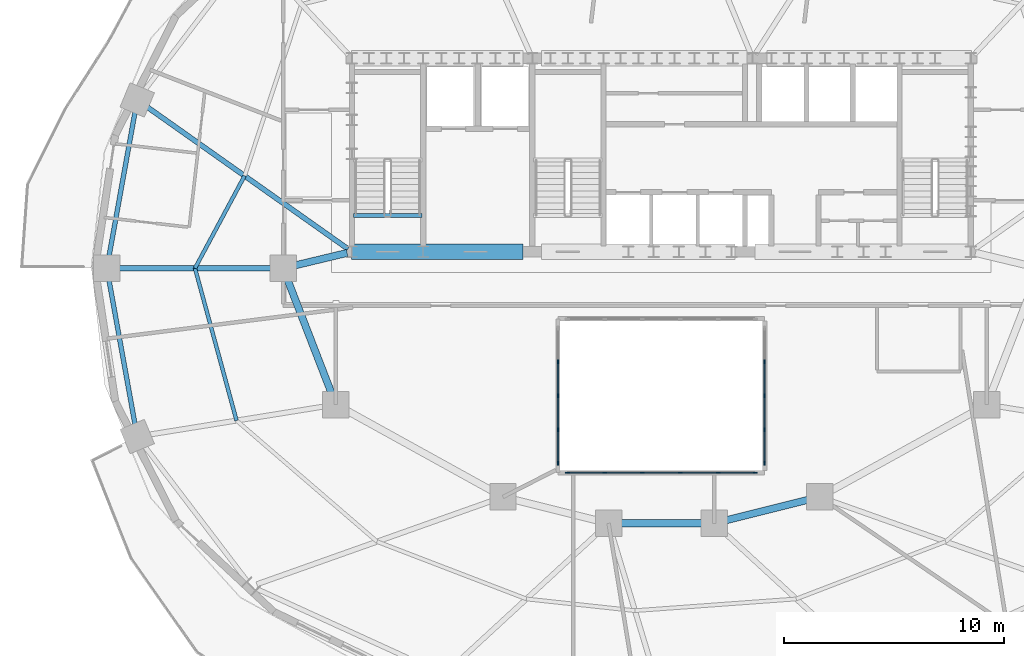
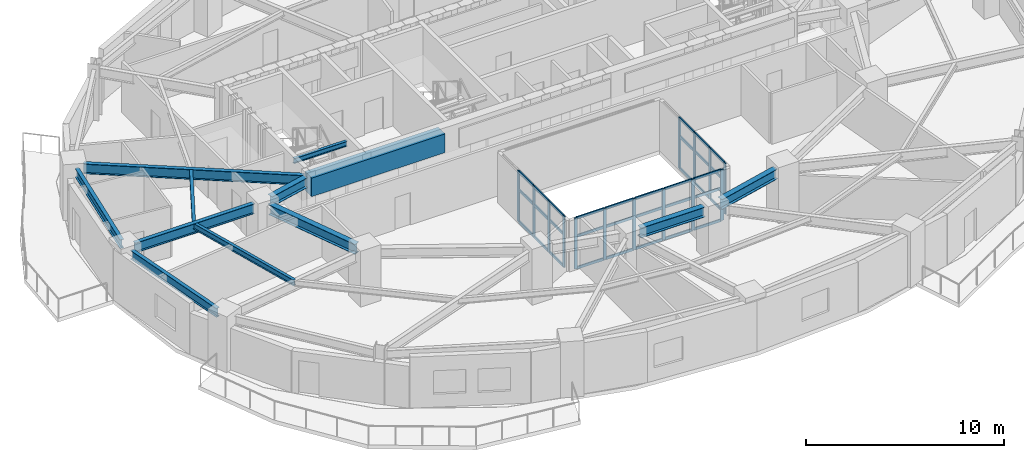
# One storey, part 2 of 12: 47 members, 12 beams, 3 elements without a shape of their own.
"""IFC4 building model written with IfcOpenShell, lengths in metres."""

from ifc_helpers import new_model, si_unit, direction, frame, origin, origin_2d, place, context, subcontext, project, spatial, rectangle, i_section, extrude, material, material_profile, profile_set, type_object, element, aggregate, save


model = new_model("IFC4")

# Units and contexts
model_context = context("Model", 3, precision=1e-05, world=origin(), true_north=direction((0.0, 1.0)))
body_context = subcontext(model_context, "Body", "Model", "MODEL_VIEW")
ifc_project = project(units=[si_unit("LENGTHUNIT", "METRE"), si_unit("AREAUNIT", "SQUARE_METRE"), si_unit("VOLUMEUNIT", "CUBIC_METRE"), si_unit("PLANEANGLEUNIT", "RADIAN"), si_unit("MASSUNIT", "GRAM", prefix="KILO")], contexts=[model_context])

# Site, building, storey
site_placement = place(None, origin())
site = spatial("IfcSite", under=ifc_project, at=site_placement, CompositionType="ELEMENT")
building_placement = place(site_placement, origin())
building = spatial("IfcBuilding", under=site, at=building_placement, Name="Haldorwick Loom Tower", CompositionType="ELEMENT")
storey_placement = place(building_placement, frame((0.0, 0.0, 146.0)))
storey = spatial("IfcBuildingStorey", under=building, at=storey_placement, Name="L39", CompositionType="ELEMENT", Elevation=146.0)

# Curtain wall, members
ifc_material_1 = material(Name="Thermally Broken Anodized Aluminium Curtain Wall Framing", Category="aluminium")
curtain_wall_type = type_object("IfcCurtainWallType", Name="ARC-CW-03", PredefinedType="NOTDEFINED", material=ifc_material_1)
curtain_wall_1_placement = place(storey_placement, origin())
curtain_wall_1 = element("IfcCurtainWall", 1, at=curtain_wall_1_placement, inside=storey, type_object=curtain_wall_type, Name="L39 Atrium Glazed Screen S", PredefinedType="NOTDEFINED")
ifc_material_profile_1 = material_profile(ifc_material_1, rectangle(XDim=0.06591796875, YDim=0.18505859375, at=origin_2d()), Name="ALU_MUL_66X185", Category="aluminium")
ifc_profile_set_1 = profile_set([ifc_material_profile_1], Name="Thermally Broken Anodized Aluminium Curtain Wall Framing")
member_type_1 = type_object("IfcMemberType", Name="ARC-CWM-03", PredefinedType="MULLION", material=ifc_profile_set_1)
member_1_placement = place(storey_placement, frame((40.26708984375, 16.699951171875, 0.0), z_axis=(0.0, 0.0, 1.0), x_axis=(0.0, -1.0, 0.0)))
member_1 = element("IfcMember", 2, at=member_1_placement, type_object=member_type_1, Name="CW-03 mullion 1", PredefinedType="MULLION", context=body_context, shape_type="SweptSolid", body=[
    extrude(rectangle(XDim=0.06591796875, YDim=0.18505859375, at=origin_2d()), origin(), (0.0, 0.0, 1.0), 3.14990234375),
])
member_2_placement = place(storey_placement, frame((38.580078125, 16.699951171875, 0.0), z_axis=(0.0, 0.0, 1.0), x_axis=(0.0, -1.0, 0.0)))
member_2 = element("IfcMember", 3, at=member_2_placement, type_object=member_type_1, Name="CW-03 mullion 2", PredefinedType="MULLION", context=body_context, shape_type="SweptSolid", body=[
    extrude(rectangle(XDim=0.06591796875, YDim=0.18505859375, at=origin_2d()), origin(), (0.0, 0.0, 1.0), 3.14990234375),
])
member_3_placement = place(storey_placement, frame((36.860107421875, 16.699951171875, 0.0), z_axis=(0.0, 0.0, 1.0), x_axis=(0.0, -1.0, 0.0)))
member_3 = element("IfcMember", 4, at=member_3_placement, type_object=member_type_1, Name="CW-03 mullion 3", PredefinedType="MULLION", context=body_context, shape_type="SweptSolid", body=[
    extrude(rectangle(XDim=0.06591796875, YDim=0.18505859375, at=origin_2d()), origin(), (0.0, 0.0, 1.0), 3.14990234375),
])
member_4_placement = place(storey_placement, frame((35.139892578125, 16.699951171875, 0.0), z_axis=(0.0, 0.0, 1.0), x_axis=(0.0, -1.0, 0.0)))
member_4 = element("IfcMember", 5, at=member_4_placement, type_object=member_type_1, Name="CW-03 mullion 4", PredefinedType="MULLION", context=body_context, shape_type="SweptSolid", body=[
    extrude(rectangle(XDim=0.06591796875, YDim=0.18505859375, at=origin_2d()), origin(), (0.0, 0.0, 1.0), 3.14990234375),
])
member_5_placement = place(storey_placement, frame((33.419921875, 16.699951171875, 0.0), z_axis=(0.0, 0.0, 1.0), x_axis=(0.0, -1.0, 0.0)))
member_5 = element("IfcMember", 6, at=member_5_placement, type_object=member_type_1, Name="CW-03 mullion 5", PredefinedType="MULLION", context=body_context, shape_type="SweptSolid", body=[
    extrude(rectangle(XDim=0.06591796875, YDim=0.18505859375, at=origin_2d()), origin(), (0.0, 0.0, 1.0), 3.14990234375),
])
member_6_placement = place(storey_placement, frame((31.73291015625, 16.699951171875, 0.0), z_axis=(0.0, 0.0, 1.0), x_axis=(0.0, -1.0, 0.0)))
member_6 = element("IfcMember", 7, at=member_6_placement, type_object=member_type_1, Name="CW-03 mullion 6", PredefinedType="MULLION", context=body_context, shape_type="SweptSolid", body=[
    extrude(rectangle(XDim=0.06591796875, YDim=0.18505859375, at=origin_2d()), origin(), (0.0, 0.0, 1.0), 3.14990234375),
])

curtain_wall_2_placement = place(storey_placement, origin())
curtain_wall_2 = element("IfcCurtainWall", 8, at=curtain_wall_2_placement, inside=storey, type_object=curtain_wall_type, Name="L39 Atrium Glazed Screen W", PredefinedType="NOTDEFINED")
member_7_placement = place(storey_placement, frame((31.300048828125, 17.133056640625, 0.0), z_axis=(0.0, 0.0, 1.0), x_axis=(-1.0, 0.0, 0.0)))
member_7 = element("IfcMember", 9, at=member_7_placement, type_object=member_type_1, Name="CW-03 mullion 1", PredefinedType="MULLION", context=body_context, shape_type="SweptSolid", body=[
    extrude(rectangle(XDim=0.06591796875, YDim=0.18505859375, at=origin_2d()), origin(), (0.0, 0.0, 1.0), 3.14990234375),
])
member_8_placement = place(storey_placement, frame((31.300048828125, 18.64990234375, 0.0), z_axis=(0.0, 0.0, 1.0), x_axis=(-1.0, 0.0, 0.0)))
member_8 = element("IfcMember", 10, at=member_8_placement, type_object=member_type_1, Name="CW-03 mullion 2", PredefinedType="MULLION", context=body_context, shape_type="SweptSolid", body=[
    extrude(rectangle(XDim=0.06591796875, YDim=0.18505859375, at=origin_2d()), origin(), (0.0, 0.0, 1.0), 3.14990234375),
])
member_9_placement = place(storey_placement, frame((31.300048828125, 20.199951171875, 0.0), z_axis=(0.0, 0.0, 1.0), x_axis=(-1.0, 0.0, 0.0)))
member_9 = element("IfcMember", 11, at=member_9_placement, type_object=member_type_1, Name="CW-03 mullion 3", PredefinedType="MULLION", context=body_context, shape_type="SweptSolid", body=[
    extrude(rectangle(XDim=0.06591796875, YDim=0.18505859375, at=origin_2d()), origin(), (0.0, 0.0, 1.0), 3.14990234375),
])
member_10_placement = place(storey_placement, frame((31.300048828125, 21.75, 0.0), z_axis=(0.0, 0.0, 1.0), x_axis=(-1.0, 0.0, 0.0)))
member_10 = element("IfcMember", 12, at=member_10_placement, type_object=member_type_1, Name="CW-03 mullion 4", PredefinedType="MULLION", context=body_context, shape_type="SweptSolid", body=[
    extrude(rectangle(XDim=0.06591796875, YDim=0.18505859375, at=origin_2d()), origin(), (0.0, 0.0, 1.0), 3.14990234375),
])

curtain_wall_3_placement = place(storey_placement, origin())
curtain_wall_3 = element("IfcCurtainWall", 13, at=curtain_wall_3_placement, inside=storey, type_object=curtain_wall_type, Name="L39 Atrium Glazed Screen E", PredefinedType="NOTDEFINED")
member_11_placement = place(storey_placement, frame((40.699951171875, 21.75, 0.0), z_axis=(0.0, 0.0, 1.0), x_axis=(1.0, 0.0, 0.0)))
member_11 = element("IfcMember", 14, at=member_11_placement, type_object=member_type_1, Name="CW-03 mullion 2", PredefinedType="MULLION", context=body_context, shape_type="SweptSolid", body=[
    extrude(rectangle(XDim=0.06591796875, YDim=0.18505859375, at=origin_2d()), origin(), (0.0, 0.0, 1.0), 3.14990234375),
])
member_12_placement = place(storey_placement, frame((40.699951171875, 20.199951171875, 0.0), z_axis=(0.0, 0.0, 1.0), x_axis=(1.0, 0.0, 0.0)))
member_12 = element("IfcMember", 15, at=member_12_placement, type_object=member_type_1, Name="CW-03 mullion 3", PredefinedType="MULLION", context=body_context, shape_type="SweptSolid", body=[
    extrude(rectangle(XDim=0.06591796875, YDim=0.18505859375, at=origin_2d()), origin(), (0.0, 0.0, 1.0), 3.14990234375),
])
member_13_placement = place(storey_placement, frame((40.699951171875, 18.64990234375, 0.0), z_axis=(0.0, 0.0, 1.0), x_axis=(1.0, 0.0, 0.0)))
member_13 = element("IfcMember", 16, at=member_13_placement, type_object=member_type_1, Name="CW-03 mullion 4", PredefinedType="MULLION", context=body_context, shape_type="SweptSolid", body=[
    extrude(rectangle(XDim=0.06591796875, YDim=0.18505859375, at=origin_2d()), origin(), (0.0, 0.0, 1.0), 3.14990234375),
])
member_14_placement = place(storey_placement, frame((40.699951171875, 17.133056640625, 0.0), z_axis=(0.0, 0.0, 1.0), x_axis=(1.0, 0.0, 0.0)))
member_14 = element("IfcMember", 17, at=member_14_placement, type_object=member_type_1, Name="CW-03 mullion 5", PredefinedType="MULLION", context=body_context, shape_type="SweptSolid", body=[
    extrude(rectangle(XDim=0.06591796875, YDim=0.18505859375, at=origin_2d()), origin(), (0.0, 0.0, 1.0), 3.14990234375),
])

# Member
ifc_material_profile_2 = material_profile(ifc_material_1, rectangle(XDim=0.06591796875, YDim=0.1650390625, at=origin_2d()), Name="ALU_TRN_66X165", Category="aluminium")
ifc_profile_set_2 = profile_set([ifc_material_profile_2], Name="Thermally Broken Anodized Aluminium Curtain Wall Framing")
member_type_2 = type_object("IfcMemberType", Name="ARC-CWT-03", PredefinedType="USERDEFINED", material=ifc_profile_set_2)
member_15_placement = place(storey_placement, frame((40.23388671875, 16.699951171875, 0.032958984375), z_axis=(-1.0, 0.0, 0.0), x_axis=(0.0, -1.0, 0.0)))
member_15 = element("IfcMember", 18, at=member_15_placement, type_object=member_type_2, Name="CW-03 transom 1.1", ObjectType="TRANSOM", PredefinedType="USERDEFINED", context=body_context, shape_type="SweptSolid", body=[
    extrude(rectangle(XDim=0.06591796875, YDim=0.1650390625, at=origin_2d()), origin(), (0.0, 0.0, 1.0), 1.620849609375),
])

member_16_placement = place(storey_placement, frame((40.23388671875, 16.699951171875, 2.0), z_axis=(-1.0, 0.0, 0.0), x_axis=(0.0, -1.0, 0.0)))
member_16 = element("IfcMember", 19, at=member_16_placement, type_object=member_type_2, Name="CW-03 transom 1.2", ObjectType="TRANSOM", PredefinedType="USERDEFINED", context=body_context, shape_type="SweptSolid", body=[
    extrude(rectangle(XDim=0.06591796875, YDim=0.1650390625, at=origin_2d()), origin(), (0.0, 0.0, 1.0), 1.620849609375),
])

member_17_placement = place(storey_placement, frame((40.23388671875, 16.699951171875, 3.116943359375), z_axis=(-1.0, 0.0, 0.0), x_axis=(0.0, -1.0, 0.0)))
member_17 = element("IfcMember", 20, at=member_17_placement, type_object=member_type_2, Name="CW-03 transom 1.3", ObjectType="TRANSOM", PredefinedType="USERDEFINED", context=body_context, shape_type="SweptSolid", body=[
    extrude(rectangle(XDim=0.06591796875, YDim=0.1650390625, at=origin_2d()), origin(), (0.0, 0.0, 1.0), 1.620849609375),
])

member_18_placement = place(storey_placement, frame((38.547119140625, 16.699951171875, 0.032958984375), z_axis=(-1.0, 0.0, 0.0), x_axis=(0.0, -1.0, 0.0)))
member_18 = element("IfcMember", 21, at=member_18_placement, type_object=member_type_2, Name="CW-03 transom 2.1", ObjectType="TRANSOM", PredefinedType="USERDEFINED", context=body_context, shape_type="SweptSolid", body=[
    extrude(rectangle(XDim=0.06591796875, YDim=0.1650390625, at=origin_2d()), origin(), (0.0, 0.0, 1.0), 1.654052734375),
])

member_19_placement = place(storey_placement, frame((38.547119140625, 16.699951171875, 2.0), z_axis=(-1.0, 0.0, 0.0), x_axis=(0.0, -1.0, 0.0)))
member_19 = element("IfcMember", 22, at=member_19_placement, type_object=member_type_2, Name="CW-03 transom 2.2", ObjectType="TRANSOM", PredefinedType="USERDEFINED", context=body_context, shape_type="SweptSolid", body=[
    extrude(rectangle(XDim=0.06591796875, YDim=0.1650390625, at=origin_2d()), origin(), (0.0, 0.0, 1.0), 1.654052734375),
])

member_20_placement = place(storey_placement, frame((38.547119140625, 16.699951171875, 3.116943359375), z_axis=(-1.0, 0.0, 0.0), x_axis=(0.0, -1.0, 0.0)))
member_20 = element("IfcMember", 23, at=member_20_placement, type_object=member_type_2, Name="CW-03 transom 2.3", ObjectType="TRANSOM", PredefinedType="USERDEFINED", context=body_context, shape_type="SweptSolid", body=[
    extrude(rectangle(XDim=0.06591796875, YDim=0.1650390625, at=origin_2d()), origin(), (0.0, 0.0, 1.0), 1.654052734375),
])

member_21_placement = place(storey_placement, frame((36.826904296875, 16.699951171875, 0.032958984375), z_axis=(-1.0, 0.0, 0.0), x_axis=(0.0, -1.0, 0.0)))
member_21 = element("IfcMember", 24, at=member_21_placement, type_object=member_type_2, Name="CW-03 transom 3.1", ObjectType="TRANSOM", PredefinedType="USERDEFINED", context=body_context, shape_type="SweptSolid", body=[
    extrude(rectangle(XDim=0.06591796875, YDim=0.1650390625, at=origin_2d()), origin(), (0.0, 0.0, 1.0), 1.65380859375),
])

member_22_placement = place(storey_placement, frame((36.826904296875, 16.699951171875, 2.0), z_axis=(-1.0, 0.0, 0.0), x_axis=(0.0, -1.0, 0.0)))
member_22 = element("IfcMember", 25, at=member_22_placement, type_object=member_type_2, Name="CW-03 transom 3.2", ObjectType="TRANSOM", PredefinedType="USERDEFINED", context=body_context, shape_type="SweptSolid", body=[
    extrude(rectangle(XDim=0.06591796875, YDim=0.1650390625, at=origin_2d()), origin(), (0.0, 0.0, 1.0), 1.65380859375),
])

member_23_placement = place(storey_placement, frame((36.826904296875, 16.699951171875, 3.116943359375), z_axis=(-1.0, 0.0, 0.0), x_axis=(0.0, -1.0, 0.0)))
member_23 = element("IfcMember", 26, at=member_23_placement, type_object=member_type_2, Name="CW-03 transom 3.3", ObjectType="TRANSOM", PredefinedType="USERDEFINED", context=body_context, shape_type="SweptSolid", body=[
    extrude(rectangle(XDim=0.06591796875, YDim=0.1650390625, at=origin_2d()), origin(), (0.0, 0.0, 1.0), 1.65380859375),
])

member_24_placement = place(storey_placement, frame((35.10693359375, 16.699951171875, 0.032958984375), z_axis=(-1.0, 0.0, 0.0), x_axis=(0.0, -1.0, 0.0)))
member_24 = element("IfcMember", 27, at=member_24_placement, type_object=member_type_2, Name="CW-03 transom 4.1", ObjectType="TRANSOM", PredefinedType="USERDEFINED", context=body_context, shape_type="SweptSolid", body=[
    extrude(rectangle(XDim=0.06591796875, YDim=0.1650390625, at=origin_2d()), origin(), (0.0, 0.0, 1.0), 1.654052734375),
])

member_25_placement = place(storey_placement, frame((35.10693359375, 16.699951171875, 2.0), z_axis=(-1.0, 0.0, 0.0), x_axis=(0.0, -1.0, 0.0)))
member_25 = element("IfcMember", 28, at=member_25_placement, type_object=member_type_2, Name="CW-03 transom 4.2", ObjectType="TRANSOM", PredefinedType="USERDEFINED", context=body_context, shape_type="SweptSolid", body=[
    extrude(rectangle(XDim=0.06591796875, YDim=0.1650390625, at=origin_2d()), origin(), (0.0, 0.0, 1.0), 1.654052734375),
])

member_26_placement = place(storey_placement, frame((35.10693359375, 16.699951171875, 3.116943359375), z_axis=(-1.0, 0.0, 0.0), x_axis=(0.0, -1.0, 0.0)))
member_26 = element("IfcMember", 29, at=member_26_placement, type_object=member_type_2, Name="CW-03 transom 4.3", ObjectType="TRANSOM", PredefinedType="USERDEFINED", context=body_context, shape_type="SweptSolid", body=[
    extrude(rectangle(XDim=0.06591796875, YDim=0.1650390625, at=origin_2d()), origin(), (0.0, 0.0, 1.0), 1.654052734375),
])

member_27_placement = place(storey_placement, frame((33.386962890625, 16.699951171875, 0.032958984375), z_axis=(-1.0, 0.0, 0.0), x_axis=(0.0, -1.0, 0.0)))
member_27 = element("IfcMember", 30, at=member_27_placement, type_object=member_type_2, Name="CW-03 transom 5.1", ObjectType="TRANSOM", PredefinedType="USERDEFINED", context=body_context, shape_type="SweptSolid", body=[
    extrude(rectangle(XDim=0.06591796875, YDim=0.1650390625, at=origin_2d()), origin(), (0.0, 0.0, 1.0), 1.620849609375),
])

member_28_placement = place(storey_placement, frame((33.386962890625, 16.699951171875, 2.0), z_axis=(-1.0, 0.0, 0.0), x_axis=(0.0, -1.0, 0.0)))
member_28 = element("IfcMember", 31, at=member_28_placement, type_object=member_type_2, Name="CW-03 transom 5.2", ObjectType="TRANSOM", PredefinedType="USERDEFINED", context=body_context, shape_type="SweptSolid", body=[
    extrude(rectangle(XDim=0.06591796875, YDim=0.1650390625, at=origin_2d()), origin(), (0.0, 0.0, 1.0), 1.620849609375),
])

member_29_placement = place(storey_placement, frame((33.386962890625, 16.699951171875, 3.116943359375), z_axis=(-1.0, 0.0, 0.0), x_axis=(0.0, -1.0, 0.0)))
member_29 = element("IfcMember", 32, at=member_29_placement, type_object=member_type_2, Name="CW-03 transom 5.3", ObjectType="TRANSOM", PredefinedType="USERDEFINED", context=body_context, shape_type="SweptSolid", body=[
    extrude(rectangle(XDim=0.06591796875, YDim=0.1650390625, at=origin_2d()), origin(), (0.0, 0.0, 1.0), 1.620849609375),
])

aggregate(curtain_wall_1, [member_1, member_2, member_3, member_4, member_5, member_6, member_15, member_16, member_17, member_18, member_19, member_20, member_21, member_22, member_23, member_24, member_25, member_26, member_27, member_28, member_29])

member_30_placement = place(storey_placement, frame((31.300048828125, 17.166015625, 0.032958984375), z_axis=(0.0, 1.0, 0.0), x_axis=(-1.0, 0.0, 0.0)))
member_30 = element("IfcMember", 33, at=member_30_placement, type_object=member_type_2, Name="CW-03 transom 1.1", ObjectType="TRANSOM", PredefinedType="USERDEFINED", context=body_context, shape_type="SweptSolid", body=[
    extrude(rectangle(XDim=0.06591796875, YDim=0.1650390625, at=origin_2d()), origin(), (0.0, 0.0, 1.0), 1.450927734375),
])

member_31_placement = place(storey_placement, frame((31.300048828125, 17.166015625, 2.0), z_axis=(0.0, 1.0, 0.0), x_axis=(-1.0, 0.0, 0.0)))
member_31 = element("IfcMember", 34, at=member_31_placement, type_object=member_type_2, Name="CW-03 transom 1.2", ObjectType="TRANSOM", PredefinedType="USERDEFINED", context=body_context, shape_type="SweptSolid", body=[
    extrude(rectangle(XDim=0.06591796875, YDim=0.1650390625, at=origin_2d()), origin(), (0.0, 0.0, 1.0), 1.450927734375),
])

member_32_placement = place(storey_placement, frame((31.300048828125, 17.166015625, 3.116943359375), z_axis=(0.0, 1.0, 0.0), x_axis=(-1.0, 0.0, 0.0)))
member_32 = element("IfcMember", 35, at=member_32_placement, type_object=member_type_2, Name="CW-03 transom 1.3", ObjectType="TRANSOM", PredefinedType="USERDEFINED", context=body_context, shape_type="SweptSolid", body=[
    extrude(rectangle(XDim=0.06591796875, YDim=0.1650390625, at=origin_2d()), origin(), (0.0, 0.0, 1.0), 1.450927734375),
])

member_33_placement = place(storey_placement, frame((31.300048828125, 18.68310546875, 0.032958984375), z_axis=(0.0, 1.0, 0.0), x_axis=(-1.0, 0.0, 0.0)))
member_33 = element("IfcMember", 36, at=member_33_placement, type_object=member_type_2, Name="CW-03 transom 2.1", ObjectType="TRANSOM", PredefinedType="USERDEFINED", context=body_context, shape_type="SweptSolid", body=[
    extrude(rectangle(XDim=0.06591796875, YDim=0.1650390625, at=origin_2d()), origin(), (0.0, 0.0, 1.0), 1.48388671875),
])

member_34_placement = place(storey_placement, frame((31.300048828125, 18.68310546875, 2.0), z_axis=(0.0, 1.0, 0.0), x_axis=(-1.0, 0.0, 0.0)))
member_34 = element("IfcMember", 37, at=member_34_placement, type_object=member_type_2, Name="CW-03 transom 2.2", ObjectType="TRANSOM", PredefinedType="USERDEFINED", context=body_context, shape_type="SweptSolid", body=[
    extrude(rectangle(XDim=0.06591796875, YDim=0.1650390625, at=origin_2d()), origin(), (0.0, 0.0, 1.0), 1.48388671875),
])

member_35_placement = place(storey_placement, frame((31.300048828125, 18.68310546875, 3.116943359375), z_axis=(0.0, 1.0, 0.0), x_axis=(-1.0, 0.0, 0.0)))
member_35 = element("IfcMember", 38, at=member_35_placement, type_object=member_type_2, Name="CW-03 transom 2.3", ObjectType="TRANSOM", PredefinedType="USERDEFINED", context=body_context, shape_type="SweptSolid", body=[
    extrude(rectangle(XDim=0.06591796875, YDim=0.1650390625, at=origin_2d()), origin(), (0.0, 0.0, 1.0), 1.48388671875),
])

member_36_placement = place(storey_placement, frame((31.300048828125, 20.23291015625, 0.032958984375), z_axis=(0.0, 1.0, 0.0), x_axis=(-1.0, 0.0, 0.0)))
member_36 = element("IfcMember", 39, at=member_36_placement, type_object=member_type_2, Name="CW-03 transom 3.1", ObjectType="TRANSOM", PredefinedType="USERDEFINED", context=body_context, shape_type="SweptSolid", body=[
    extrude(rectangle(XDim=0.06591796875, YDim=0.1650390625, at=origin_2d()), origin(), (0.0, 0.0, 1.0), 1.484130859375),
])

member_37_placement = place(storey_placement, frame((31.300048828125, 20.23291015625, 2.0), z_axis=(0.0, 1.0, 0.0), x_axis=(-1.0, 0.0, 0.0)))
member_37 = element("IfcMember", 40, at=member_37_placement, type_object=member_type_2, Name="CW-03 transom 3.2", ObjectType="TRANSOM", PredefinedType="USERDEFINED", context=body_context, shape_type="SweptSolid", body=[
    extrude(rectangle(XDim=0.06591796875, YDim=0.1650390625, at=origin_2d()), origin(), (0.0, 0.0, 1.0), 1.484130859375),
])

member_38_placement = place(storey_placement, frame((31.300048828125, 20.23291015625, 3.116943359375), z_axis=(0.0, 1.0, 0.0), x_axis=(-1.0, 0.0, 0.0)))
member_38 = element("IfcMember", 41, at=member_38_placement, type_object=member_type_2, Name="CW-03 transom 3.3", ObjectType="TRANSOM", PredefinedType="USERDEFINED", context=body_context, shape_type="SweptSolid", body=[
    extrude(rectangle(XDim=0.06591796875, YDim=0.1650390625, at=origin_2d()), origin(), (0.0, 0.0, 1.0), 1.484130859375),
])

aggregate(curtain_wall_2, [member_7, member_8, member_9, member_10, member_30, member_31, member_32, member_33, member_34, member_35, member_36, member_37, member_38])

member_39_placement = place(storey_placement, frame((40.699951171875, 21.717041015625, 0.032958984375), z_axis=(0.0, -1.0, 0.0), x_axis=(1.0, 0.0, 0.0)))
member_39 = element("IfcMember", 42, at=member_39_placement, type_object=member_type_2, Name="CW-03 transom 2.1", ObjectType="TRANSOM", PredefinedType="USERDEFINED", context=body_context, shape_type="SweptSolid", body=[
    extrude(rectangle(XDim=0.06591796875, YDim=0.1650390625, at=origin_2d()), origin(), (0.0, 0.0, 1.0), 1.484130859375),
])

member_40_placement = place(storey_placement, frame((40.699951171875, 21.717041015625, 2.0), z_axis=(0.0, -1.0, 0.0), x_axis=(1.0, 0.0, 0.0)))
member_40 = element("IfcMember", 43, at=member_40_placement, type_object=member_type_2, Name="CW-03 transom 2.2", ObjectType="TRANSOM", PredefinedType="USERDEFINED", context=body_context, shape_type="SweptSolid", body=[
    extrude(rectangle(XDim=0.06591796875, YDim=0.1650390625, at=origin_2d()), origin(), (0.0, 0.0, 1.0), 1.484130859375),
])

member_41_placement = place(storey_placement, frame((40.699951171875, 21.717041015625, 3.116943359375), z_axis=(0.0, -1.0, 0.0), x_axis=(1.0, 0.0, 0.0)))
member_41 = element("IfcMember", 44, at=member_41_placement, type_object=member_type_2, Name="CW-03 transom 2.3", ObjectType="TRANSOM", PredefinedType="USERDEFINED", context=body_context, shape_type="SweptSolid", body=[
    extrude(rectangle(XDim=0.06591796875, YDim=0.1650390625, at=origin_2d()), origin(), (0.0, 0.0, 1.0), 1.484130859375),
])

member_42_placement = place(storey_placement, frame((40.699951171875, 20.1669921875, 0.032958984375), z_axis=(0.0, -1.0, 0.0), x_axis=(1.0, 0.0, 0.0)))
member_42 = element("IfcMember", 45, at=member_42_placement, type_object=member_type_2, Name="CW-03 transom 3.1", ObjectType="TRANSOM", PredefinedType="USERDEFINED", context=body_context, shape_type="SweptSolid", body=[
    extrude(rectangle(XDim=0.06591796875, YDim=0.1650390625, at=origin_2d()), origin(), (0.0, 0.0, 1.0), 1.48388671875),
])

member_43_placement = place(storey_placement, frame((40.699951171875, 20.1669921875, 2.0), z_axis=(0.0, -1.0, 0.0), x_axis=(1.0, 0.0, 0.0)))
member_43 = element("IfcMember", 46, at=member_43_placement, type_object=member_type_2, Name="CW-03 transom 3.2", ObjectType="TRANSOM", PredefinedType="USERDEFINED", context=body_context, shape_type="SweptSolid", body=[
    extrude(rectangle(XDim=0.06591796875, YDim=0.1650390625, at=origin_2d()), origin(), (0.0, 0.0, 1.0), 1.48388671875),
])

member_44_placement = place(storey_placement, frame((40.699951171875, 20.1669921875, 3.116943359375), z_axis=(0.0, -1.0, 0.0), x_axis=(1.0, 0.0, 0.0)))
member_44 = element("IfcMember", 47, at=member_44_placement, type_object=member_type_2, Name="CW-03 transom 3.3", ObjectType="TRANSOM", PredefinedType="USERDEFINED", context=body_context, shape_type="SweptSolid", body=[
    extrude(rectangle(XDim=0.06591796875, YDim=0.1650390625, at=origin_2d()), origin(), (0.0, 0.0, 1.0), 1.48388671875),
])

member_45_placement = place(storey_placement, frame((40.699951171875, 18.616943359375, 0.032958984375), z_axis=(0.0, -1.0, 0.0), x_axis=(1.0, 0.0, 0.0)))
member_45 = element("IfcMember", 48, at=member_45_placement, type_object=member_type_2, Name="CW-03 transom 4.1", ObjectType="TRANSOM", PredefinedType="USERDEFINED", context=body_context, shape_type="SweptSolid", body=[
    extrude(rectangle(XDim=0.06591796875, YDim=0.1650390625, at=origin_2d()), origin(), (0.0, 0.0, 1.0), 1.450927734375),
])

member_46_placement = place(storey_placement, frame((40.699951171875, 18.616943359375, 2.0), z_axis=(0.0, -1.0, 0.0), x_axis=(1.0, 0.0, 0.0)))
member_46 = element("IfcMember", 49, at=member_46_placement, type_object=member_type_2, Name="CW-03 transom 4.2", ObjectType="TRANSOM", PredefinedType="USERDEFINED", context=body_context, shape_type="SweptSolid", body=[
    extrude(rectangle(XDim=0.06591796875, YDim=0.1650390625, at=origin_2d()), origin(), (0.0, 0.0, 1.0), 1.450927734375),
])

member_47_placement = place(storey_placement, frame((40.699951171875, 18.616943359375, 3.116943359375), z_axis=(0.0, -1.0, 0.0), x_axis=(1.0, 0.0, 0.0)))
member_47 = element("IfcMember", 50, at=member_47_placement, type_object=member_type_2, Name="CW-03 transom 4.3", ObjectType="TRANSOM", PredefinedType="USERDEFINED", context=body_context, shape_type="SweptSolid", body=[
    extrude(rectangle(XDim=0.06591796875, YDim=0.1650390625, at=origin_2d()), origin(), (0.0, 0.0, 1.0), 1.450927734375),
])

aggregate(curtain_wall_3, [member_11, member_12, member_13, member_14, member_39, member_40, member_41, member_42, member_43, member_44, member_45, member_46, member_47])

# Beams
ifc_material_2 = material(Name="Concrete C60 (60 MPa)", Category="concrete")
ifc_material_profile_3 = material_profile(ifc_material_2, rectangle(XDim=0.699951171875, YDim=1.14990234375, at=origin_2d()), Name="RC700X1150", Category="concrete")
ifc_profile_set_3 = profile_set([ifc_material_profile_3], Name="Concrete C60 (60 MPa)")
beam_type_1 = type_object("IfcBeamType", Name="STR-BM-CB1150", PredefinedType="LINTEL", material=ifc_profile_set_3)
beam_1_placement = place(storey_placement, frame((21.89990234375, 26.75, 2.574951171875), z_axis=(1.0, 0.0, 0.0), x_axis=(0.0, 1.0, 0.0)))
element("IfcBeam", 51, at=beam_1_placement, inside=storey, type_object=beam_type_1, Name="L39 Core Coupling Beam CB-S1", PredefinedType="LINTEL", context=body_context, shape_type="SweptSolid", body=[
    extrude(rectangle(XDim=0.699951171875, YDim=1.14990234375, at=origin_2d()), origin(), (0.0, 0.0, 1.0), 7.800048828125),
])
ifc_material_3 = material(Name="Steel CSA G40.21 350W", Category="steel")
ifc_material_profile_4 = material_profile(ifc_material_3, i_section(OverallWidth=0.172119140625, OverallDepth=0.35791015625, WebThickness=0.0078125, FlangeThickness=0.01318359375, at=origin_2d()), Name="W360X57", Category="steel")
ifc_profile_set_4 = profile_set([ifc_material_profile_4], Name="Steel CSA G40.21 350W")
beam_type_2 = type_object("IfcBeamType", Name="STR-BM-J360", PredefinedType="JOIST", material=ifc_profile_set_4)
beam_2_placement = place(storey_placement, frame((17.046875, 30.201904296875, 2.970947265625), z_axis=(-0.472930162238, -0.881099915813, 0.0), x_axis=(0.881099915813, -0.472930162238, 0.0)))
element("IfcBeam", 52, at=beam_2_placement, inside=storey, type_object=beam_type_2, Name="L39 Mid-Bay Secondary Joist 8", PredefinedType="JOIST", context=body_context, shape_type="SweptSolid", body=[
    extrude(i_section(OverallWidth=0.172119140625, OverallDepth=0.35791015625, WebThickness=0.0078125, FlangeThickness=0.01318359375, at=origin_2d()), origin(), (0.0, 0.0, 1.0), 4.76904296875),
])
beam_3_placement = place(storey_placement, frame((14.79150390625, 26.0, 2.970947265625), z_axis=(0.263272762578, -0.964721437766, 0.0), x_axis=(0.964721437766, 0.263272762578, 0.0)))
element("IfcBeam", 53, at=beam_3_placement, inside=storey, type_object=beam_type_2, Name="L39 Mid-Bay Secondary Joist 9", PredefinedType="JOIST", context=body_context, shape_type="SweptSolid", body=[
    extrude(i_section(OverallWidth=0.172119140625, OverallDepth=0.35791015625, WebThickness=0.0078125, FlangeThickness=0.01318359375, at=origin_2d()), origin(), (0.0, 0.0, 1.0), 7.180419921875),
])
ifc_material_profile_5 = material_profile(ifc_material_3, i_section(OverallWidth=0.2119140625, OverallDepth=0.5439453125, WebThickness=0.01318359375, FlangeThickness=0.021240234375, at=origin_2d()), Name="W530X123", Category="steel")
ifc_profile_set_5 = profile_set([ifc_material_profile_5], Name="Steel CSA G40.21 350W")
beam_type_3 = type_object("IfcBeamType", Name="STR-BM-SP530", PredefinedType="SPANDREL", material=ifc_profile_set_5)
for number, where, z_axis, x_axis, name in (
    (54, (12.071533203125, 33.14208984375, 2.8779296875), (-0.177558730702, -0.984110205796, 0.0), (0.984110205796, -0.177558730702, 0.0), "L39 Perimeter Spandrel 8"),
    (55, (10.875244140625, 25.48828125, 2.8779296875), (0.177558730702, -0.984110205796, 0.0), (0.984110205796, 0.177558730702, 0.0), "L39 Perimeter Spandrel 9"),
):
    element("IfcBeam", number, at=place(storey_placement, frame(where, z_axis=z_axis, x_axis=x_axis)), inside=storey, type_object=beam_type_3, Name=name, PredefinedType="SPANDREL", context=body_context, shape_type="SweptSolid", body=[
        extrude(i_section(OverallWidth=0.2119140625, OverallDepth=0.5439453125, WebThickness=0.01318359375, FlangeThickness=0.021240234375, at=origin_2d()), origin(), (0.0, 0.0, 1.0), 6.737548828125),
    ])
ifc_material_profile_6 = material_profile(ifc_material_3, i_section(OverallWidth=0.166015625, OverallDepth=0.31298828125, WebThickness=0.006591796875, FlangeThickness=0.01123046875, at=origin_2d()), Name="W310X45", Category="steel")
ifc_profile_set_6 = profile_set([ifc_material_profile_6], Name="Steel CSA G40.21 350W")
beam_type_4 = type_object("IfcBeamType", Name="STR-BM-STRM", PredefinedType="BEAM", material=ifc_profile_set_6)
beam_4_placement = place(storey_placement, frame((21.989990234375, 28.39990234375, 2.993408203125), z_axis=(1.0, 0.0, 0.0), x_axis=(0.0, 1.0, 0.0)))
element("IfcBeam", 56, at=beam_4_placement, inside=storey, type_object=beam_type_4, Name="L39 Stair ST-01 Landing Edge Trimmer", PredefinedType="BEAM", context=body_context, shape_type="SweptSolid", body=[
    extrude(i_section(OverallWidth=0.166015625, OverallDepth=0.31298828125, WebThickness=0.006591796875, FlangeThickness=0.01123046875, at=origin_2d()), origin(), (0.0, 0.0, 1.0), 3.1201171875),
])
ifc_material_profile_7 = material_profile(ifc_material_3, i_section(OverallWidth=0.324951171875, OverallDepth=0.615966796875, WebThickness=0.013916015625, FlangeThickness=0.021484375, at=origin_2d()), Name="W610X174", Category="steel")
ifc_profile_set_7 = profile_set([ifc_material_profile_7], Name="Steel CSA G40.21 350W")
beam_type_5 = type_object("IfcBeamType", Name="STR-BM-W610A", PredefinedType="BEAM", material=ifc_profile_set_7)
beam_5_placement = place(storey_placement, frame((42.695556640625, 15.473876953125, 2.842041015625), z_axis=(-0.970142500145, -0.242535625036, 0.0), x_axis=(0.242535625036, -0.970142500145, 0.0)))
element("IfcBeam", 57, at=beam_5_placement, inside=storey, type_object=beam_type_5, Name="L39 Inner Ring Girder 4", PredefinedType="BEAM", context=body_context, shape_type="SweptSolid", body=[
    extrude(i_section(OverallWidth=0.324951171875, OverallDepth=0.615966796875, WebThickness=0.013916015625, FlangeThickness=0.021484375, at=origin_2d()), origin(), (0.0, 0.0, 1.0), 3.90771484375),
])
beam_6_placement = place(storey_placement, frame((37.8798828125, 14.39990234375, 2.842041015625), z_axis=(-1.0, 0.0, 0.0), x_axis=(0.0, -1.0, 0.0)))
element("IfcBeam", 58, at=beam_6_placement, inside=storey, type_object=beam_type_5, Name="L39 Inner Ring Girder 5", PredefinedType="BEAM", context=body_context, shape_type="SweptSolid", body=[
    extrude(i_section(OverallWidth=0.324951171875, OverallDepth=0.615966796875, WebThickness=0.013916015625, FlangeThickness=0.021484375, at=origin_2d()), origin(), (0.0, 0.0, 1.0), 3.759765625),
])
beam_7_placement = place(storey_placement, frame((21.01220703125, 20.284912109375, 2.842041015625), z_axis=(-0.360964792353, 0.93257944363, 0.0), x_axis=(-0.93257944363, -0.360964792353, 0.0)))
element("IfcBeam", 59, at=beam_7_placement, inside=storey, type_object=beam_type_5, Name="L39 Inner Ring Girder 8", PredefinedType="BEAM", context=body_context, shape_type="SweptSolid", body=[
    extrude(i_section(OverallWidth=0.324951171875, OverallDepth=0.615966796875, WebThickness=0.013916015625, FlangeThickness=0.021484375, at=origin_2d()), origin(), (0.0, 0.0, 1.0), 5.6083984375),
])
beam_8_placement = place(storey_placement, frame((19.3056640625, 26.12109375, 2.842041015625), z_axis=(0.97247055837, 0.233025777764, 0.0), x_axis=(-0.233025777764, 0.97247055837, 0.0)))
element("IfcBeam", 60, at=beam_8_placement, inside=storey, type_object=beam_type_5, Name="L39 Inner Ring Girder 9", PredefinedType="BEAM", context=body_context, shape_type="SweptSolid", body=[
    extrude(i_section(OverallWidth=0.324951171875, OverallDepth=0.615966796875, WebThickness=0.013916015625, FlangeThickness=0.021484375, at=origin_2d()), origin(), (0.0, 0.0, 1.0), 2.4736328125),
])
ifc_material_profile_8 = material_profile(ifc_material_3, i_section(OverallWidth=0.22998046875, OverallDepth=0.616943359375, WebThickness=0.01318359375, FlangeThickness=0.022216796875, at=origin_2d()), Name="W610X140", Category="steel")
ifc_profile_set_8 = profile_set([ifc_material_profile_8], Name="Steel CSA G40.21 350W")
beam_type_6 = type_object("IfcBeamType", Name="STR-BM-W610B", PredefinedType="BEAM", material=ifc_profile_set_8)
beam_9_placement = place(storey_placement, frame((21.746337890625, 26.8798828125, 2.841552734375), z_axis=(-0.816581567299, 0.577230061542, 0.0), x_axis=(-0.577230061542, -0.816581567299, 0.0)))
element("IfcBeam", 61, at=beam_9_placement, inside=storey, type_object=beam_type_6, Name="L39 Radial Floor Girder 8", PredefinedType="BEAM", context=body_context, shape_type="SweptSolid", body=[
    extrude(i_section(OverallWidth=0.22998046875, OverallDepth=0.616943359375, WebThickness=0.01318359375, FlangeThickness=0.022216796875, at=origin_2d()), origin(), (0.0, 0.0, 1.0), 11.215087890625),
])
beam_10_placement = place(storey_placement, frame((18.280029296875, 26.0, 2.841552734375), z_axis=(-1.0, 0.0, 0.0), x_axis=(0.0, -1.0, 0.0)))
element("IfcBeam", 62, at=beam_10_placement, inside=storey, type_object=beam_type_6, Name="L39 Radial Floor Girder 9", PredefinedType="BEAM", context=body_context, shape_type="SweptSolid", body=[
    extrude(i_section(OverallWidth=0.22998046875, OverallDepth=0.616943359375, WebThickness=0.01318359375, FlangeThickness=0.022216796875, at=origin_2d()), origin(), (0.0, 0.0, 1.0), 6.97705078125),
])

save(model, "model.ifc")
